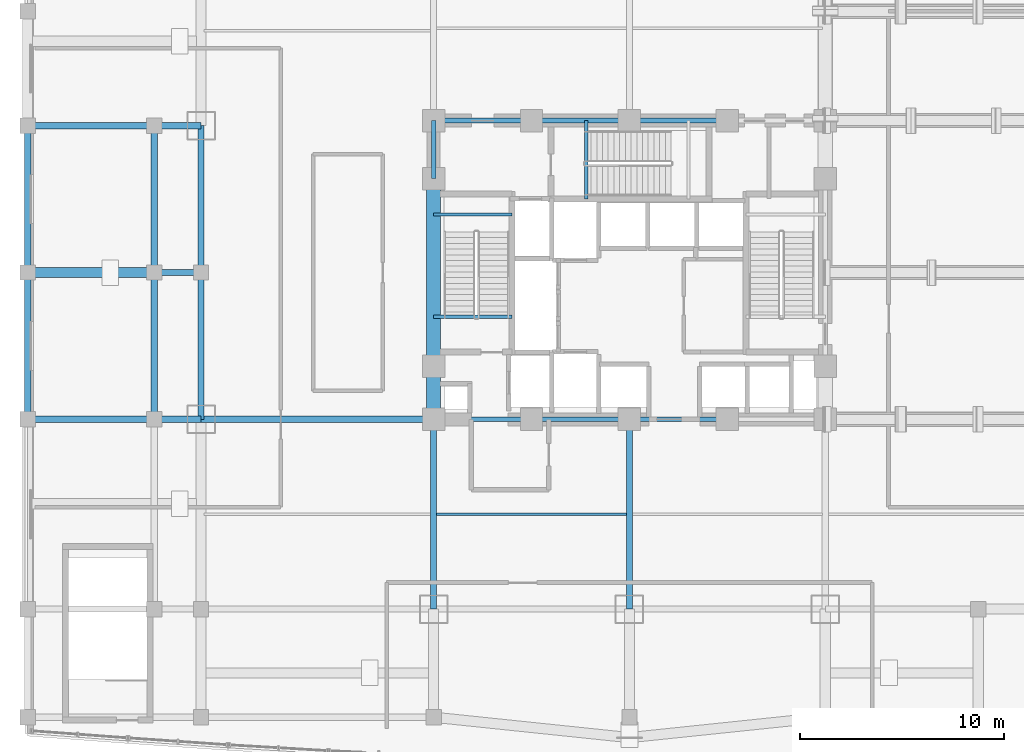
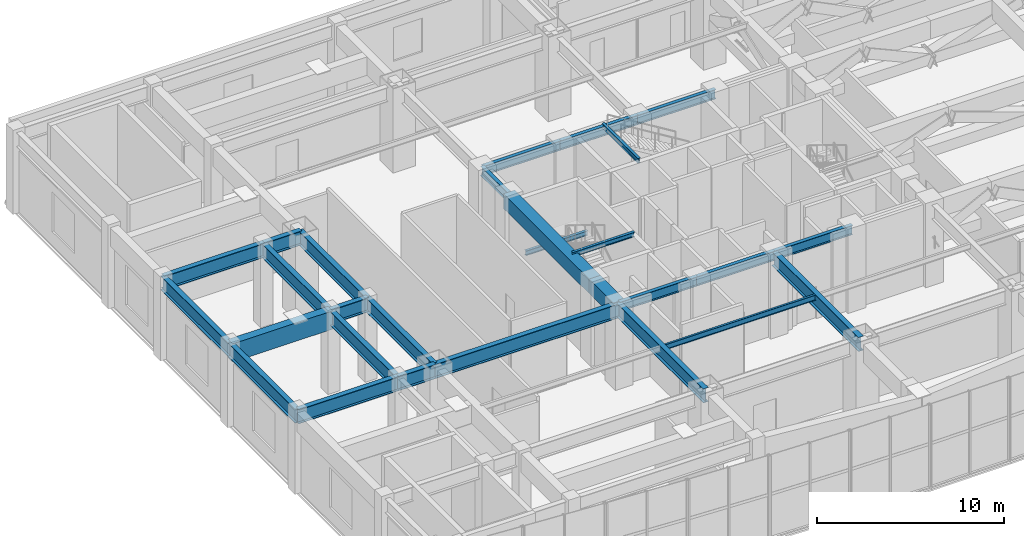
# One storey, part 5 of 19: 28 beams.
"""IFC4 building model written with IfcOpenShell, lengths in metres."""

from ifc_helpers import new_model, si_unit, direction, frame, origin, origin_2d, place, context, subcontext, project, spatial, rectangle, hollow_rectangle, i_section, extrude, material, material_profile, profile_set, type_object, element, save


model = new_model("IFC4")

# Units and contexts
model_context = context("Model", 3, precision=1e-05, world=origin(), true_north=direction((0.0, 1.0)))
body_context = subcontext(model_context, "Body", "Model", "MODEL_VIEW")
ifc_project = project(units=[si_unit("LENGTHUNIT", "METRE"), si_unit("AREAUNIT", "SQUARE_METRE"), si_unit("VOLUMEUNIT", "CUBIC_METRE"), si_unit("PLANEANGLEUNIT", "RADIAN"), si_unit("MASSUNIT", "GRAM", prefix="KILO")], contexts=[model_context])

# Site, building, storey
site_placement = place(None, origin())
site = spatial("IfcSite", under=ifc_project, at=site_placement, CompositionType="ELEMENT")
building_placement = place(site_placement, origin())
building = spatial("IfcBuilding", under=site, at=building_placement, Name="Vantalir Tower", CompositionType="ELEMENT")
storey_placement = place(building_placement, frame((0.0, 0.0, 21.5)))
storey = spatial("IfcBuildingStorey", under=building, at=storey_placement, Name="L04", CompositionType="ELEMENT", Elevation=21.5)

# Beams
ifc_material_1 = material(Name="Concrete C60/75", Category="concrete")
ifc_material_profile_1 = material_profile(ifc_material_1, rectangle(XDim=0.699951171875, YDim=0.949951171875, at=origin_2d()), Name="Concrete C60/75")
ifc_profile_set_1 = profile_set([ifc_material_profile_1], Name="Concrete C60/75")
beam_type_1 = type_object("IfcBeamType", Name="BM-CB-700x950", PredefinedType="USERDEFINED", material=ifc_profile_set_1)
beam_1_placement = place(storey_placement, frame((21.89990234375, 29.60009765625, 4.844970703125), z_axis=(0.0, -1.0, 0.0), x_axis=(1.0, 0.0, 0.0)))
element("IfcBeam", 1, at=beam_1_placement, inside=storey, type_object=beam_type_1, Name="L04 Core Coupling Girder 13", ObjectType="GIRDER", PredefinedType="USERDEFINED", context=body_context, shape_type="SweptSolid", body=[
    extrude(rectangle(XDim=0.699951171875, YDim=0.949951171875, at=origin_2d()), origin(), (0.0, 0.0, 1.0), 9.2001953125),
])
beam_2_placement = place(storey_placement, frame((21.89990234375, 20.39990234375, 4.844970703125), z_axis=(0.0, -1.0, 0.0), x_axis=(1.0, 0.0, 0.0)))
element("IfcBeam", 2, at=beam_2_placement, inside=storey, type_object=beam_type_1, Name="L04 Core Coupling Girder 14", ObjectType="GIRDER", PredefinedType="USERDEFINED", context=body_context, shape_type="SweptSolid", body=[
    extrude(rectangle(XDim=0.699951171875, YDim=0.949951171875, at=origin_2d()), origin(), (0.0, 0.0, 1.0), 2.599853515625),
])
ifc_material_2 = material(Name="Steel S355", Category="steel")
ifc_material_profile_2 = material_profile(ifc_material_2, i_section(OverallWidth=0.166015625, OverallDepth=0.306884765625, WebThickness=0.006591796875, FlangeThickness=0.01171875, at=origin_2d()), Name="Steel S355")
ifc_profile_set_2 = profile_set([ifc_material_profile_2], Name="Steel S355")
beam_type_2 = type_object("IfcBeamType", Name="BM-JS-305x165", PredefinedType="JOIST", material=ifc_profile_set_2)
for number, where, z_axis, x_axis, name in (
    (3, (21.89990234375, 22.8349609375, 5.345947265625), (1.0, 0.0, 0.0), (0.0, 1.0, 0.0), "L05 Stair ST1 Well Nosing Trimmer Beam"),
    (4, (21.89990234375, 27.844970703125, 2.39599609375), (1.0, 0.0, 0.0), (0.0, 1.0, 0.0), "L04 Stair ST1 Half-Landing Support Beam"),
):
    element("IfcBeam", number, at=place(storey_placement, frame(where, z_axis=z_axis, x_axis=x_axis)), inside=storey, type_object=beam_type_2, Name=name, PredefinedType="JOIST", context=body_context, shape_type="SweptSolid", body=[
        extrude(i_section(OverallWidth=0.166015625, OverallDepth=0.306884765625, WebThickness=0.006591796875, FlangeThickness=0.01171875, at=origin_2d()), origin(), (0.0, 0.0, 1.0), 3.840087890625),
    ])
beam_3_placement = place(storey_placement, frame((29.385009765625, 28.60009765625, 5.345947265625), z_axis=(0.0, 1.0, 0.0), x_axis=(-1.0, 0.0, 0.0)))
element("IfcBeam", 5, at=beam_3_placement, inside=storey, type_object=beam_type_2, Name="L05 Stair ST3 Well Nosing Trimmer Beam", PredefinedType="JOIST", context=body_context, shape_type="SweptSolid", body=[
    extrude(i_section(OverallWidth=0.166015625, OverallDepth=0.306884765625, WebThickness=0.006591796875, FlangeThickness=0.01171875, at=origin_2d()), origin(), (0.0, 0.0, 1.0), 3.849853515625),
])
ifc_material_profile_3 = material_profile(ifc_material_2, i_section(OverallWidth=0.1259765625, OverallDepth=0.35302734375, WebThickness=0.006591796875, FlangeThickness=0.0107421875, at=origin_2d()), Name="Steel S355")
ifc_profile_set_3 = profile_set([ifc_material_profile_3], Name="Steel S355")
beam_type_3 = type_object("IfcBeamType", Name="BM-JS-356x127", PredefinedType="JOIST", material=ifc_profile_set_3)
beam_4_placement = place(storey_placement, frame((22.044921875, 13.14990234375, 5.10400390625), z_axis=(1.0, 0.0, 0.0), x_axis=(0.0, 1.0, 0.0)))
element("IfcBeam", 6, at=beam_4_placement, inside=storey, type_object=beam_type_3, Name="L04 Secondary Composite Joist 03", PredefinedType="JOIST", context=body_context, shape_type="SweptSolid", body=[
    extrude(i_section(OverallWidth=0.1259765625, OverallDepth=0.35302734375, WebThickness=0.006591796875, FlangeThickness=0.0107421875, at=origin_2d()), origin(), (0.0, 0.0, 1.0), 9.31005859375),
])
ifc_material_profile_4 = material_profile(ifc_material_2, i_section(OverallWidth=0.30810546875, OverallDepth=0.927001953125, WebThickness=0.01953125, FlangeThickness=0.031982421875, at=origin_2d()), Name="Steel S355")
ifc_profile_set_4 = profile_set([ifc_material_profile_4], Name="Steel S355")
beam_type_4 = type_object("IfcBeamType", Name="BM-PG-914x305", PredefinedType="USERDEFINED", material=ifc_profile_set_4)
beam_5_placement = place(storey_placement, frame((2.0, 17.800048828125, 4.81591796875), z_axis=(1.0, 0.0, 0.0), x_axis=(0.0, 1.0, 0.0)))
element("IfcBeam", 7, at=beam_5_placement, inside=storey, type_object=beam_type_4, Name="L04 Podium E-W Girder 14", ObjectType="GIRDER", PredefinedType="USERDEFINED", context=body_context, shape_type="SweptSolid", body=[
    extrude(i_section(OverallWidth=0.30810546875, OverallDepth=0.927001953125, WebThickness=0.01953125, FlangeThickness=0.031982421875, at=origin_2d()), origin(), (0.0, 0.0, 1.0), 6.199951171875),
])
beam_6_placement = place(storey_placement, frame((8.199951171875, 17.800048828125, 4.81591796875), z_axis=(1.0, 0.0, 0.0), x_axis=(0.0, 1.0, 0.0)))
element("IfcBeam", 8, at=beam_6_placement, inside=storey, type_object=beam_type_4, Name="L04 Podium E-W Girder 15", ObjectType="GIRDER", PredefinedType="USERDEFINED", context=body_context, shape_type="SweptSolid", body=[
    extrude(i_section(OverallWidth=0.30810546875, OverallDepth=0.927001953125, WebThickness=0.01953125, FlangeThickness=0.031982421875, at=origin_2d()), origin(), (0.0, 0.0, 1.0), 2.300048828125),
])
beam_7_placement = place(storey_placement, frame((10.5, 17.800048828125, 4.81591796875), z_axis=(1.0, 0.0, 0.0), x_axis=(0.0, 1.0, 0.0)))
element("IfcBeam", 9, at=beam_7_placement, inside=storey, type_object=beam_type_4, Name="L04 Podium E-W Girder 16", ObjectType="GIRDER", PredefinedType="USERDEFINED", context=body_context, shape_type="SweptSolid", body=[
    extrude(i_section(OverallWidth=0.30810546875, OverallDepth=0.927001953125, WebThickness=0.01953125, FlangeThickness=0.031982421875, at=origin_2d()), origin(), (0.0, 0.0, 1.0), 11.39990234375),
])
beam_8_placement = place(storey_placement, frame((8.199951171875, 25.0, 4.81591796875), z_axis=(1.0, 0.0, 0.0), x_axis=(0.0, 1.0, 0.0)))
element("IfcBeam", 10, at=beam_8_placement, inside=storey, type_object=beam_type_4, Name="L04 Podium E-W Girder 23", ObjectType="GIRDER", PredefinedType="USERDEFINED", context=body_context, shape_type="SweptSolid", body=[
    extrude(i_section(OverallWidth=0.30810546875, OverallDepth=0.927001953125, WebThickness=0.01953125, FlangeThickness=0.031982421875, at=origin_2d()), origin(), (0.0, 0.0, 1.0), 2.300048828125),
])
beam_9_placement = place(storey_placement, frame((2.0, 32.199951171875, 4.81591796875), z_axis=(1.0, 0.0, 0.0), x_axis=(0.0, 1.0, 0.0)))
element("IfcBeam", 11, at=beam_9_placement, inside=storey, type_object=beam_type_4, Name="L04 Podium E-W Girder 24", ObjectType="GIRDER", PredefinedType="USERDEFINED", context=body_context, shape_type="SweptSolid", body=[
    extrude(i_section(OverallWidth=0.30810546875, OverallDepth=0.927001953125, WebThickness=0.01953125, FlangeThickness=0.031982421875, at=origin_2d()), origin(), (0.0, 0.0, 1.0), 6.199951171875),
])
beam_10_placement = place(storey_placement, frame((8.199951171875, 32.199951171875, 4.81591796875), z_axis=(1.0, 0.0, 0.0), x_axis=(0.0, 1.0, 0.0)))
element("IfcBeam", 12, at=beam_10_placement, inside=storey, type_object=beam_type_4, Name="L04 Podium E-W Girder 25", ObjectType="GIRDER", PredefinedType="USERDEFINED", context=body_context, shape_type="SweptSolid", body=[
    extrude(i_section(OverallWidth=0.30810546875, OverallDepth=0.927001953125, WebThickness=0.01953125, FlangeThickness=0.031982421875, at=origin_2d()), origin(), (0.0, 0.0, 1.0), 2.300048828125),
])
for number, where, z_axis, x_axis, name in (
    (13, (2.0, 17.800048828125, 4.81591796875), (0.0, 1.0, 0.0), (-1.0, 0.0, 0.0), "L04 Podium N-S Girder 41"),
    (14, (2.0, 25.0, 4.81591796875), (0.0, 1.0, 0.0), (-1.0, 0.0, 0.0), "L04 Podium N-S Girder 42"),
    (15, (8.199951171875, 17.800048828125, 4.81591796875), (0.0, 1.0, 0.0), (-1.0, 0.0, 0.0), "L04 Podium N-S Girder 46"),
    (16, (8.199951171875, 25.0, 4.81591796875), (0.0, 1.0, 0.0), (-1.0, 0.0, 0.0), "L04 Podium N-S Girder 47"),
    (17, (10.5, 17.800048828125, 4.81591796875), (0.0, 1.0, 0.0), (-1.0, 0.0, 0.0), "L04 Podium N-S Girder 50"),
    (18, (10.5, 25.0, 4.81591796875), (0.0, 1.0, 0.0), (-1.0, 0.0, 0.0), "L04 Podium N-S Girder 51"),
):
    element("IfcBeam", number, at=place(storey_placement, frame(where, z_axis=z_axis, x_axis=x_axis)), inside=storey, type_object=beam_type_4, Name=name, ObjectType="GIRDER", PredefinedType="USERDEFINED", context=body_context, shape_type="SweptSolid", body=[
        extrude(i_section(OverallWidth=0.30810546875, OverallDepth=0.927001953125, WebThickness=0.01953125, FlangeThickness=0.031982421875, at=origin_2d()), origin(), (0.0, 0.0, 1.0), 7.199951171875),
    ])
for number, where, z_axis, x_axis, name in (
    (19, (21.89990234375, 8.5, 4.81591796875), (0.0, 1.0, 0.0), (-1.0, 0.0, 0.0), "L04 Podium N-S Girder 55"),
    (20, (31.5, 8.5, 4.81591796875), (0.0, 1.0, 0.0), (-1.0, 0.0, 0.0), "L04 Podium N-S Girder 62"),
):
    element("IfcBeam", number, at=place(storey_placement, frame(where, z_axis=z_axis, x_axis=x_axis)), inside=storey, type_object=beam_type_4, Name=name, ObjectType="GIRDER", PredefinedType="USERDEFINED", context=body_context, shape_type="SweptSolid", body=[
        extrude(i_section(OverallWidth=0.30810546875, OverallDepth=0.927001953125, WebThickness=0.01953125, FlangeThickness=0.031982421875, at=origin_2d()), origin(), (0.0, 0.0, 1.0), 9.300048828125),
    ])
ifc_material_profile_5 = material_profile(ifc_material_2, i_section(OverallWidth=0.22998046875, OverallDepth=0.616943359375, WebThickness=0.01318359375, FlangeThickness=0.022216796875, at=origin_2d()), Name="Steel S355")
ifc_profile_set_5 = profile_set([ifc_material_profile_5], Name="Steel S355")
beam_type_5 = type_object("IfcBeamType", Name="BM-RB-610x229", PredefinedType="BEAM", material=ifc_profile_set_5)
for number, where, z_axis, x_axis, name in (
    (21, (21.89990234375, 17.800048828125, 5.011962890625), (1.0, 0.0, 0.0), (0.0, 1.0, 0.0), "L04 Core Coupling Girder 01"),
    (22, (26.699951171875, 17.800048828125, 5.011962890625), (1.0, 0.0, 0.0), (0.0, 1.0, 0.0), "L04 Core Coupling Girder 02"),
    (23, (31.5, 17.800048828125, 5.011962890625), (1.0, 0.0, 0.0), (0.0, 1.0, 0.0), "L04 Core Coupling Girder 03"),
    (24, (36.300048828125, 32.449951171875, 5.011962890625), (-1.0, 0.0, 0.0), (0.0, -1.0, 0.0), "L04 Core Coupling Girder 09"),
    (25, (31.5, 32.449951171875, 5.011962890625), (-1.0, 0.0, 0.0), (0.0, -1.0, 0.0), "L04 Core Coupling Girder 10"),
    (26, (26.699951171875, 32.449951171875, 5.011962890625), (-1.0, 0.0, 0.0), (0.0, -1.0, 0.0), "L04 Core Coupling Girder 11"),
):
    element("IfcBeam", number, at=place(storey_placement, frame(where, z_axis=z_axis, x_axis=x_axis)), inside=storey, type_object=beam_type_5, Name=name, PredefinedType="BEAM", context=body_context, shape_type="SweptSolid", body=[
        extrude(i_section(OverallWidth=0.22998046875, OverallDepth=0.616943359375, WebThickness=0.01318359375, FlangeThickness=0.022216796875, at=origin_2d()), origin(), (0.0, 0.0, 1.0), 4.800048828125),
    ])
beam_11_placement = place(storey_placement, frame((21.89990234375, 32.449951171875, 5.011962890625), z_axis=(0.0, -1.0, 0.0), x_axis=(1.0, 0.0, 0.0)))
element("IfcBeam", 27, at=beam_11_placement, inside=storey, type_object=beam_type_5, Name="L04 Core Coupling Girder 12", PredefinedType="BEAM", context=body_context, shape_type="SweptSolid", body=[
    extrude(i_section(OverallWidth=0.22998046875, OverallDepth=0.616943359375, WebThickness=0.01318359375, FlangeThickness=0.022216796875, at=origin_2d()), origin(), (0.0, 0.0, 1.0), 2.849853515625),
])
ifc_material_3 = material(Name="Steel S460", Category="steel")
ifc_material_profile_6 = material_profile(ifc_material_3, hollow_rectangle(XDim=0.5, YDim=1.199951171875, WallThickness=0.0400390625, at=origin_2d()), Name="Steel S460")
ifc_profile_set_6 = profile_set([ifc_material_profile_6], Name="Steel S460")
beam_type_6 = type_object("IfcBeamType", Name="BM-XG-1200x500", PredefinedType="USERDEFINED", material=ifc_profile_set_6)
beam_12_placement = place(storey_placement, frame((2.0, 25.0, 4.679931640625), z_axis=(1.0, 0.0, 0.0), x_axis=(0.0, 1.0, 0.0)))
element("IfcBeam", 28, at=beam_12_placement, inside=storey, type_object=beam_type_6, Name="L04 Ring Transfer Girder PRI-YW", ObjectType="GIRDER", PredefinedType="USERDEFINED", context=body_context, shape_type="SweptSolid", body=[
    extrude(hollow_rectangle(XDim=0.5, YDim=1.199951171875, WallThickness=0.0400390625, at=origin_2d()), origin(), (0.0, 0.0, 1.0), 6.199951171875),
])

save(model, "model.ifc")
